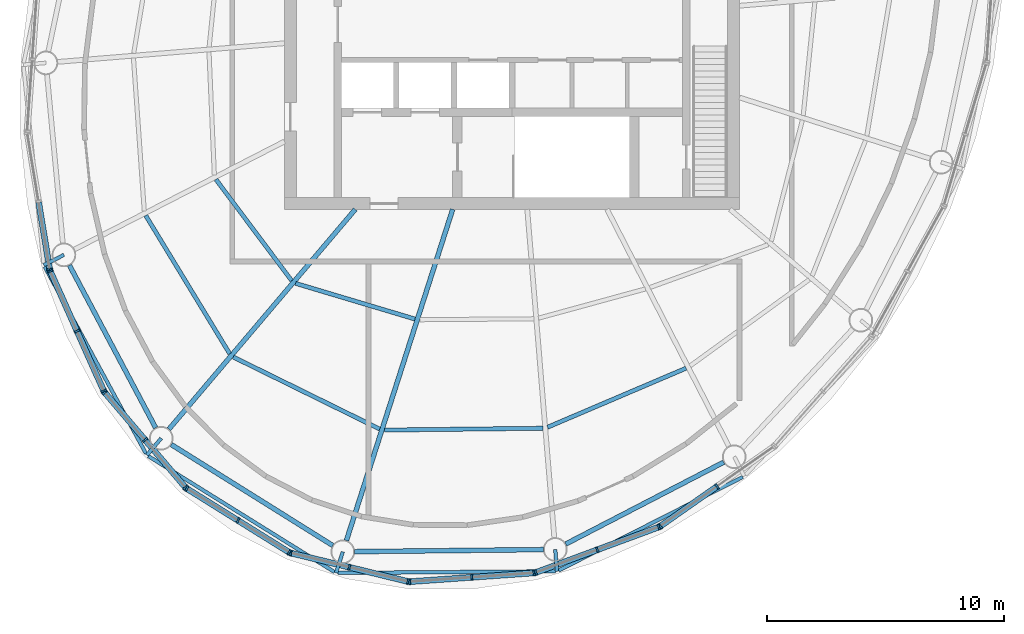
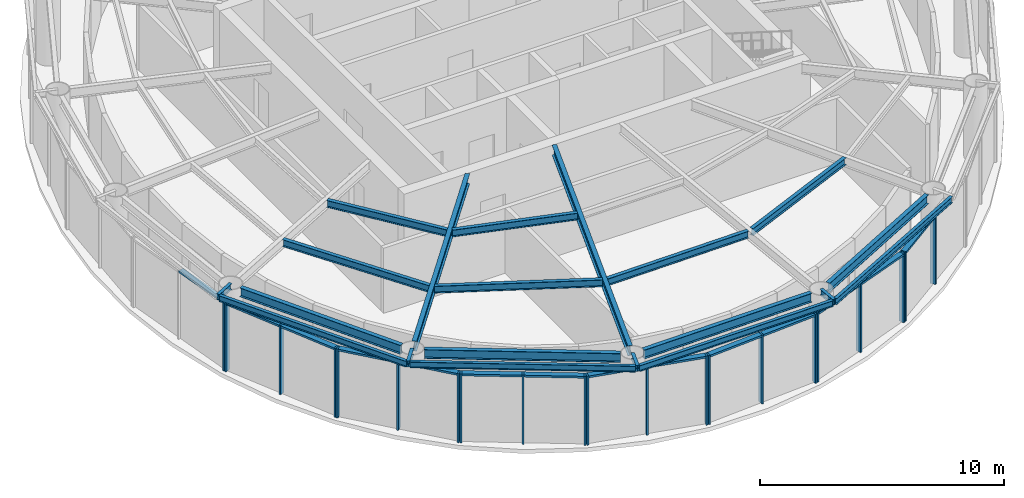
# One storey, part 2 of 11: 35 members, 20 beams, 8 elements without a shape of their own.
"""IFC4 building model written with IfcOpenShell, lengths in metres."""

from ifc_helpers import new_model, si_unit, direction, frame, origin, origin_2d, place, context, subcontext, project, spatial, rectangle, i_section, extrude, material, material_profile, profile_set, type_object, element, aggregate, save


model = new_model("IFC4")

# Units and contexts
model_context = context("Model", 3, precision=1e-05, world=origin(), true_north=direction((0.0, 1.0)))
body_context = subcontext(model_context, "Body", "Model", "MODEL_VIEW")
ifc_project = project(units=[si_unit("LENGTHUNIT", "METRE"), si_unit("AREAUNIT", "SQUARE_METRE"), si_unit("VOLUMEUNIT", "CUBIC_METRE"), si_unit("PLANEANGLEUNIT", "RADIAN"), si_unit("MASSUNIT", "GRAM", prefix="KILO")], contexts=[model_context])

# Site, building, storey
site_placement = place(None, origin())
site = spatial("IfcSite", under=ifc_project, at=site_placement, CompositionType="ELEMENT")
building_placement = place(site_placement, origin())
building = spatial("IfcBuilding", under=site, at=building_placement, Name="Vermilion Reach Broadcast Tower", CompositionType="ELEMENT")
storey_placement = place(building_placement, frame((0.0, 0.0, 325.5)))
storey = spatial("IfcBuildingStorey", under=building, at=storey_placement, Name="L81 CROWN", CompositionType="ELEMENT", Elevation=325.5)

# Curtain wall, member
ifc_material_1 = material(Name="Low-e laminated clear glass in aluminium frame", Category="aluminium")
curtain_wall_type = type_object("IfcCurtainWallType", Name="Crown glazing curtain wall", PredefinedType="NOTDEFINED", material=ifc_material_1)
placement = place(storey_placement, origin())
curtain_wall_1 = element("IfcCurtainWall", 1, at=placement, inside=storey, type_object=curtain_wall_type, Name="Crown glazing L81 CROWN 09", PredefinedType="NOTDEFINED")
ifc_material_2 = material(Name="Anodised aluminium", Category="aluminium")
ifc_material_profile_1 = material_profile(ifc_material_2, rectangle(XDim=0.25, YDim=0.080078125, at=origin_2d()), Name="Crown glazing mullion 80 x 250")
ifc_profile_set_1 = profile_set([ifc_material_profile_1], Name="Anodised aluminium")
member_type_1 = type_object("IfcMemberType", Name="Crown glazing mullion 80 x 250", PredefinedType="MULLION", material=ifc_profile_set_1)
member_1_placement = place(storey_placement, frame((-25.5029296875, -10.3359375, 0.0), z_axis=(0.0, 0.0, 1.0), x_axis=(0.986689101121, 0.162618011697, 0.0)))
member_1 = element("IfcMember", 2, at=member_1_placement, type_object=member_type_1, Name="Crown glazing mullion L81 CROWN 09.3", PredefinedType="MULLION", context=body_context, shape_type="SweptSolid", body=[
    extrude(rectangle(XDim=0.25, YDim=0.080078125, at=origin_2d()), origin(), (0.0, 0.0, 1.0), 3.449951171875),
])

# Curtain wall, members
curtain_wall_2 = element("IfcCurtainWall", 3, at=placement, inside=storey, type_object=curtain_wall_type, Name="Crown glazing L81 CROWN 10", PredefinedType="NOTDEFINED")
member_2_placement = place(storey_placement, frame((-25.480224609375, -10.411865234375, 0.0), z_axis=(0.0, 0.0, 1.0), x_axis=(0.912988806241, 0.407984607158, 0.0)))
member_2 = element("IfcMember", 4, at=member_2_placement, type_object=member_type_1, Name="Crown glazing mullion L81 CROWN 10.1", PredefinedType="MULLION", context=body_context, shape_type="SweptSolid", body=[
    extrude(rectangle(XDim=0.25, YDim=0.080078125, at=origin_2d()), origin(), (0.0, 0.0, 1.0), 3.449951171875),
])
member_3_placement = place(storey_placement, frame((-24.35205078125, -12.9365234375, 0.0), z_axis=(0.0, 0.0, 1.0), x_axis=(0.912988806241, 0.407984607158, 0.0)))
member_3 = element("IfcMember", 5, at=member_3_placement, type_object=member_type_1, Name="Crown glazing mullion L81 CROWN 10.2", PredefinedType="MULLION", context=body_context, shape_type="SweptSolid", body=[
    extrude(rectangle(XDim=0.25, YDim=0.080078125, at=origin_2d()), origin(), (0.0, 0.0, 1.0), 3.449951171875),
])
member_4_placement = place(storey_placement, frame((-23.2236328125, -15.46142578125, 0.0), z_axis=(0.0, 0.0, 1.0), x_axis=(0.912988806241, 0.407984607158, 0.0)))
member_4 = element("IfcMember", 6, at=member_4_placement, type_object=member_type_1, Name="Crown glazing mullion L81 CROWN 10.3", PredefinedType="MULLION", context=body_context, shape_type="SweptSolid", body=[
    extrude(rectangle(XDim=0.25, YDim=0.080078125, at=origin_2d()), origin(), (0.0, 0.0, 1.0), 3.449951171875),
])

curtain_wall_3 = element("IfcCurtainWall", 7, at=placement, inside=storey, type_object=curtain_wall_type, Name="Crown glazing L81 CROWN 11", PredefinedType="NOTDEFINED")
member_5_placement = place(storey_placement, frame((-23.181396484375, -15.5283203125, 0.0), z_axis=(0.0, 0.0, 1.0), x_axis=(0.761749854468, 0.647871252038, 0.0)))
member_5 = element("IfcMember", 8, at=member_5_placement, type_object=member_type_1, Name="Crown glazing mullion L81 CROWN 11.1", PredefinedType="MULLION", context=body_context, shape_type="SweptSolid", body=[
    extrude(rectangle(XDim=0.25, YDim=0.080078125, at=origin_2d()), origin(), (0.0, 0.0, 1.0), 3.449951171875),
])
member_6_placement = place(storey_placement, frame((-21.480224609375, -17.52880859375, 0.0), z_axis=(0.0, 0.0, 1.0), x_axis=(0.761749854468, 0.647871252038, 0.0)))
member_6 = element("IfcMember", 9, at=member_6_placement, type_object=member_type_1, Name="Crown glazing mullion L81 CROWN 11.2", PredefinedType="MULLION", context=body_context, shape_type="SweptSolid", body=[
    extrude(rectangle(XDim=0.25, YDim=0.080078125, at=origin_2d()), origin(), (0.0, 0.0, 1.0), 3.449951171875),
])
member_7_placement = place(storey_placement, frame((-19.77880859375, -19.529052734375, 0.0), z_axis=(0.0, 0.0, 1.0), x_axis=(0.761749854468, 0.647871252038, 0.0)))
member_7 = element("IfcMember", 10, at=member_7_placement, type_object=member_type_1, Name="Crown glazing mullion L81 CROWN 11.3", PredefinedType="MULLION", context=body_context, shape_type="SweptSolid", body=[
    extrude(rectangle(XDim=0.25, YDim=0.080078125, at=origin_2d()), origin(), (0.0, 0.0, 1.0), 3.449951171875),
])

curtain_wall_4 = element("IfcCurtainWall", 11, at=placement, inside=storey, type_object=curtain_wall_type, Name="Crown glazing L81 CROWN 12", PredefinedType="NOTDEFINED")
member_8_placement = place(storey_placement, frame((-19.718994140625, -19.580810546875, 0.0), z_axis=(0.0, 0.0, 1.0), x_axis=(0.52886102859, 0.848708437827, 0.0)))
member_8 = element("IfcMember", 12, at=member_8_placement, type_object=member_type_1, Name="Crown glazing mullion L81 CROWN 12.1", PredefinedType="MULLION", context=body_context, shape_type="SweptSolid", body=[
    extrude(rectangle(XDim=0.25, YDim=0.080078125, at=origin_2d()), origin(), (0.0, 0.0, 1.0), 3.449951171875),
])
member_9_placement = place(storey_placement, frame((-17.5615234375, -20.925048828125, 0.0), z_axis=(0.0, 0.0, 1.0), x_axis=(0.52886102859, 0.848708437827, 0.0)))
member_9 = element("IfcMember", 13, at=member_9_placement, type_object=member_type_1, Name="Crown glazing mullion L81 CROWN 12.2", PredefinedType="MULLION", context=body_context, shape_type="SweptSolid", body=[
    extrude(rectangle(XDim=0.25, YDim=0.080078125, at=origin_2d()), origin(), (0.0, 0.0, 1.0), 3.449951171875),
])
member_10_placement = place(storey_placement, frame((-15.404052734375, -22.26953125, 0.0), z_axis=(0.0, 0.0, 1.0), x_axis=(0.52886102859, 0.848708437827, 0.0)))
member_10 = element("IfcMember", 14, at=member_10_placement, type_object=member_type_1, Name="Crown glazing mullion L81 CROWN 12.3", PredefinedType="MULLION", context=body_context, shape_type="SweptSolid", body=[
    extrude(rectangle(XDim=0.25, YDim=0.080078125, at=origin_2d()), origin(), (0.0, 0.0, 1.0), 3.449951171875),
])

curtain_wall_5 = element("IfcCurtainWall", 15, at=placement, inside=storey, type_object=curtain_wall_type, Name="Crown glazing L81 CROWN 13", PredefinedType="NOTDEFINED")
member_11_placement = place(storey_placement, frame((-15.331298828125, -22.300048828125, 0.0), z_axis=(0.0, 0.0, 1.0), x_axis=(0.236354420386, 0.971666912045, 0.0)))
member_11 = element("IfcMember", 16, at=member_11_placement, type_object=member_type_1, Name="Crown glazing mullion L81 CROWN 13.1", PredefinedType="MULLION", context=body_context, shape_type="SweptSolid", body=[
    extrude(rectangle(XDim=0.25, YDim=0.080078125, at=origin_2d()), origin(), (0.0, 0.0, 1.0), 3.449951171875),
])
member_12_placement = place(storey_placement, frame((-12.861328125, -22.90087890625, 0.0), z_axis=(0.0, 0.0, 1.0), x_axis=(0.236354420386, 0.971666912045, 0.0)))
member_12 = element("IfcMember", 17, at=member_12_placement, type_object=member_type_1, Name="Crown glazing mullion L81 CROWN 13.2", PredefinedType="MULLION", context=body_context, shape_type="SweptSolid", body=[
    extrude(rectangle(XDim=0.25, YDim=0.080078125, at=origin_2d()), origin(), (0.0, 0.0, 1.0), 3.449951171875),
])
member_13_placement = place(storey_placement, frame((-10.39111328125, -23.501708984375, 0.0), z_axis=(0.0, 0.0, 1.0), x_axis=(0.236354420386, 0.971666912045, 0.0)))
member_13 = element("IfcMember", 18, at=member_13_placement, type_object=member_type_1, Name="Crown glazing mullion L81 CROWN 13.3", PredefinedType="MULLION", context=body_context, shape_type="SweptSolid", body=[
    extrude(rectangle(XDim=0.25, YDim=0.080078125, at=origin_2d()), origin(), (0.0, 0.0, 1.0), 3.449951171875),
])

curtain_wall_6 = element("IfcCurtainWall", 19, at=placement, inside=storey, type_object=curtain_wall_type, Name="Crown glazing L81 CROWN 14", PredefinedType="NOTDEFINED")
member_14_placement = place(storey_placement, frame((-10.3125, -23.50830078125, 0.0), z_axis=(0.0, 0.0, 1.0), x_axis=(-0.070082236977, 0.997541217224, 0.0)))
member_14 = element("IfcMember", 20, at=member_14_placement, type_object=member_type_1, Name="Crown glazing mullion L81 CROWN 14.1", PredefinedType="MULLION", context=body_context, shape_type="SweptSolid", body=[
    extrude(rectangle(XDim=0.25, YDim=0.080078125, at=origin_2d()), origin(), (0.0, 0.0, 1.0), 3.449951171875),
])
member_15_placement = place(storey_placement, frame((-7.69287109375, -23.324462890625, 0.0), z_axis=(0.0, 0.0, 1.0), x_axis=(-0.070082236977, 0.997541217224, 0.0)))
member_15 = element("IfcMember", 21, at=member_15_placement, type_object=member_type_1, Name="Crown glazing mullion L81 CROWN 14.2", PredefinedType="MULLION", context=body_context, shape_type="SweptSolid", body=[
    extrude(rectangle(XDim=0.25, YDim=0.080078125, at=origin_2d()), origin(), (0.0, 0.0, 1.0), 3.449951171875),
])
member_16_placement = place(storey_placement, frame((-5.0732421875, -23.140380859375, 0.0), z_axis=(0.0, 0.0, 1.0), x_axis=(-0.070082236977, 0.997541217224, 0.0)))
member_16 = element("IfcMember", 22, at=member_16_placement, type_object=member_type_1, Name="Crown glazing mullion L81 CROWN 14.3", PredefinedType="MULLION", context=body_context, shape_type="SweptSolid", body=[
    extrude(rectangle(XDim=0.25, YDim=0.080078125, at=origin_2d()), origin(), (0.0, 0.0, 1.0), 3.449951171875),
])

curtain_wall_7 = element("IfcCurtainWall", 23, at=placement, inside=storey, type_object=curtain_wall_type, Name="Crown glazing L81 CROWN 15", PredefinedType="NOTDEFINED")
member_17_placement = place(storey_placement, frame((-4.995849609375, -23.12353515625, 0.0), z_axis=(0.0, 0.0, 1.0), x_axis=(-0.347291008771, 0.93775740745, 0.0)))
member_17 = element("IfcMember", 24, at=member_17_placement, type_object=member_type_1, Name="Crown glazing mullion L81 CROWN 15.1", PredefinedType="MULLION", context=body_context, shape_type="SweptSolid", body=[
    extrude(rectangle(XDim=0.25, YDim=0.080078125, at=origin_2d()), origin(), (0.0, 0.0, 1.0), 3.449951171875),
])
member_18_placement = place(storey_placement, frame((-2.402587890625, -22.163330078125, 0.0), z_axis=(0.0, 0.0, 1.0), x_axis=(-0.347291008771, 0.93775740745, 0.0)))
member_18 = element("IfcMember", 25, at=member_18_placement, type_object=member_type_1, Name="Crown glazing mullion L81 CROWN 15.2", PredefinedType="MULLION", context=body_context, shape_type="SweptSolid", body=[
    extrude(rectangle(XDim=0.25, YDim=0.080078125, at=origin_2d()), origin(), (0.0, 0.0, 1.0), 3.449951171875),
])
member_19_placement = place(storey_placement, frame((0.190673828125, -21.202880859375, 0.0), z_axis=(0.0, 0.0, 1.0), x_axis=(-0.347291008771, 0.93775740745, 0.0)))
member_19 = element("IfcMember", 26, at=member_19_placement, type_object=member_type_1, Name="Crown glazing mullion L81 CROWN 15.3", PredefinedType="MULLION", context=body_context, shape_type="SweptSolid", body=[
    extrude(rectangle(XDim=0.25, YDim=0.080078125, at=origin_2d()), origin(), (0.0, 0.0, 1.0), 3.449951171875),
])

curtain_wall_8 = element("IfcCurtainWall", 27, at=placement, inside=storey, type_object=curtain_wall_type, Name="Crown glazing L81 CROWN 16", PredefinedType="NOTDEFINED")
member_20_placement = place(storey_placement, frame((0.2607421875, -21.166015625, 0.0), z_axis=(0.0, 0.0, 1.0), x_axis=(-0.574163969023, 0.818740335317, 0.0)))
member_20 = element("IfcMember", 28, at=member_20_placement, type_object=member_type_1, Name="Crown glazing mullion L81 CROWN 16.1", PredefinedType="MULLION", context=body_context, shape_type="SweptSolid", body=[
    extrude(rectangle(XDim=0.25, YDim=0.080078125, at=origin_2d()), origin(), (0.0, 0.0, 1.0), 3.449951171875),
])
member_21_placement = place(storey_placement, frame((2.64990234375, -19.49072265625, 0.0), z_axis=(0.0, 0.0, 1.0), x_axis=(-0.574163969023, 0.818740335317, 0.0)))
member_21 = element("IfcMember", 29, at=member_21_placement, type_object=member_type_1, Name="Crown glazing mullion L81 CROWN 16.2", PredefinedType="MULLION", context=body_context, shape_type="SweptSolid", body=[
    extrude(rectangle(XDim=0.25, YDim=0.080078125, at=origin_2d()), origin(), (0.0, 0.0, 1.0), 3.449951171875),
])

# Member
ifc_material_3 = material(Name="Anodised aluminium", Category="aluminium")
ifc_material_profile_2 = material_profile(ifc_material_3, rectangle(XDim=0.25, YDim=0.10009765625, at=origin_2d()), Name="Crown glazing transom 250 x 100")
ifc_profile_set_2 = profile_set([ifc_material_profile_2], Name="Anodised aluminium")
member_type_2 = type_object("IfcMemberType", Name="Crown glazing transom 250 x 100", PredefinedType="USERDEFINED", material=ifc_profile_set_2)
member_22_placement = place(storey_placement, frame((-25.970947265625, -7.496337890625, 3.39990234375), z_axis=(0.162599033258, -0.986692228805, 0.0), x_axis=(0.986692228805, 0.162599033258, 0.0)))
member_22 = element("IfcMember", 30, at=member_22_placement, type_object=member_type_2, Name="Crown glazing transom L81 CROWN 09.2.2", ObjectType="TRANSOM", PredefinedType="USERDEFINED", context=body_context, shape_type="SweptSolid", body=[
    extrude(rectangle(XDim=0.25, YDim=0.10009765625, at=origin_2d()), origin(), (0.0, 0.0, 1.0), 2.837890625),
])

aggregate(curtain_wall_1, [member_1, member_22])

member_23_placement = place(storey_placement, frame((-25.4638671875, -10.4482421875, 3.39990234375), z_axis=(0.407993268167, -0.912984935873, 0.0), x_axis=(0.912984935873, 0.407993268167, 0.0)))
member_23 = element("IfcMember", 31, at=member_23_placement, type_object=member_type_2, Name="Crown glazing transom L81 CROWN 10.1.2", ObjectType="TRANSOM", PredefinedType="USERDEFINED", context=body_context, shape_type="SweptSolid", body=[
    extrude(rectangle(XDim=0.25, YDim=0.10009765625, at=origin_2d()), origin(), (0.0, 0.0, 1.0), 2.685546875),
])

member_24_placement = place(storey_placement, frame((-24.335693359375, -12.97314453125, 3.39990234375), z_axis=(0.40802713302, -0.912969801647, 0.0), x_axis=(0.912969801647, 0.40802713302, 0.0)))
member_24 = element("IfcMember", 32, at=member_24_placement, type_object=member_type_2, Name="Crown glazing transom L81 CROWN 10.2.2", ObjectType="TRANSOM", PredefinedType="USERDEFINED", context=body_context, shape_type="SweptSolid", body=[
    extrude(rectangle(XDim=0.25, YDim=0.10009765625, at=origin_2d()), origin(), (0.0, 0.0, 1.0), 2.685302734375),
])

aggregate(curtain_wall_2, [member_2, member_3, member_4, member_23, member_24])

member_25_placement = place(storey_placement, frame((-23.155517578125, -15.558837890625, 3.39990234375), z_axis=(0.647848811341, -0.7617689398, 0.0), x_axis=(0.7617689398, 0.647848811341, 0.0)))
member_25 = element("IfcMember", 33, at=member_25_placement, type_object=member_type_2, Name="Crown glazing transom L81 CROWN 11.1.2", ObjectType="TRANSOM", PredefinedType="USERDEFINED", context=body_context, shape_type="SweptSolid", body=[
    extrude(rectangle(XDim=0.25, YDim=0.10009765625, at=origin_2d()), origin(), (0.0, 0.0, 1.0), 2.5458984375),
])

member_26_placement = place(storey_placement, frame((-21.454345703125, -17.55908203125, 3.39990234375), z_axis=(0.647904451719, -0.761721616762, 0.0), x_axis=(0.761721616762, 0.647904451719, 0.0)))
member_26 = element("IfcMember", 34, at=member_26_placement, type_object=member_type_2, Name="Crown glazing transom L81 CROWN 11.2.2", ObjectType="TRANSOM", PredefinedType="USERDEFINED", context=body_context, shape_type="SweptSolid", body=[
    extrude(rectangle(XDim=0.25, YDim=0.10009765625, at=origin_2d()), origin(), (0.0, 0.0, 1.0), 2.546142578125),
])

aggregate(curtain_wall_3, [member_5, member_6, member_7, member_25, member_26])

member_27_placement = place(storey_placement, frame((-19.68505859375, -19.601806640625, 3.39990234375), z_axis=(0.848682779768, -0.528902202043, 0.0), x_axis=(0.528902202043, 0.848682779768, 0.0)))
member_27 = element("IfcMember", 35, at=member_27_placement, type_object=member_type_2, Name="Crown glazing transom L81 CROWN 12.1.2", ObjectType="TRANSOM", PredefinedType="USERDEFINED", context=body_context, shape_type="SweptSolid", body=[
    extrude(rectangle(XDim=0.25, YDim=0.10009765625, at=origin_2d()), origin(), (0.0, 0.0, 1.0), 2.462158203125),
])

member_28_placement = place(storey_placement, frame((-17.527587890625, -20.9462890625, 3.39990234375), z_axis=(0.848727287614, -0.528830777526, 0.0), x_axis=(0.528830777526, 0.848727287614, 0.0)))
member_28 = element("IfcMember", 36, at=member_28_placement, type_object=member_type_2, Name="Crown glazing transom L81 CROWN 12.2.2", ObjectType="TRANSOM", PredefinedType="USERDEFINED", context=body_context, shape_type="SweptSolid", body=[
    extrude(rectangle(XDim=0.25, YDim=0.10009765625, at=origin_2d()), origin(), (0.0, 0.0, 1.0), 2.462158203125),
])

aggregate(curtain_wall_4, [member_8, member_9, member_10, member_27, member_28])

member_29_placement = place(storey_placement, frame((-15.29248046875, -22.3095703125, 3.39990234375), z_axis=(0.971679911502, -0.236300972457, 0.0), x_axis=(0.236300972457, 0.971679911502, 0.0)))
member_29 = element("IfcMember", 37, at=member_29_placement, type_object=member_type_2, Name="Crown glazing transom L81 CROWN 13.1.2", ObjectType="TRANSOM", PredefinedType="USERDEFINED", context=body_context, shape_type="SweptSolid", body=[
    extrude(rectangle(XDim=0.25, YDim=0.10009765625, at=origin_2d()), origin(), (0.0, 0.0, 1.0), 2.462158203125),
])

member_30_placement = place(storey_placement, frame((-12.822265625, -22.910400390625, 3.39990234375), z_axis=(0.971674373727, -0.236323742865, 0.0), x_axis=(0.236323742865, 0.971674373727, 0.0)))
member_30 = element("IfcMember", 38, at=member_30_placement, type_object=member_type_2, Name="Crown glazing transom L81 CROWN 13.2.2", ObjectType="TRANSOM", PredefinedType="USERDEFINED", context=body_context, shape_type="SweptSolid", body=[
    extrude(rectangle(XDim=0.25, YDim=0.10009765625, at=origin_2d()), origin(), (0.0, 0.0, 1.0), 2.4619140625),
])

aggregate(curtain_wall_5, [member_11, member_12, member_13, member_29, member_30])

member_31_placement = place(storey_placement, frame((-10.2724609375, -23.505615234375, 3.39990234375), z_axis=(0.997539824471, 0.07010205842, 0.0), x_axis=(-0.07010205842, 0.997539824471, 0.0)))
member_31 = element("IfcMember", 39, at=member_31_placement, type_object=member_type_2, Name="Crown glazing transom L81 CROWN 14.1.2", ObjectType="TRANSOM", PredefinedType="USERDEFINED", context=body_context, shape_type="SweptSolid", body=[
    extrude(rectangle(XDim=0.25, YDim=0.10009765625, at=origin_2d()), origin(), (0.0, 0.0, 1.0), 2.5458984375),
])

member_32_placement = place(storey_placement, frame((-7.653076171875, -23.321533203125, 3.39990234375), z_axis=(0.997540295679, 0.070095352893, 0.0), x_axis=(-0.070095352893, 0.997540295679, 0.0)))
member_32 = element("IfcMember", 40, at=member_32_placement, type_object=member_type_2, Name="Crown glazing transom L81 CROWN 14.2.2", ObjectType="TRANSOM", PredefinedType="USERDEFINED", context=body_context, shape_type="SweptSolid", body=[
    extrude(rectangle(XDim=0.25, YDim=0.10009765625, at=origin_2d()), origin(), (0.0, 0.0, 1.0), 2.546142578125),
])

aggregate(curtain_wall_6, [member_14, member_15, member_16, member_31, member_32])

member_33_placement = place(storey_placement, frame((-4.95849609375, -23.109619140625, 3.39990234375), z_axis=(0.937789331633, 0.347204794717, 0.0), x_axis=(-0.347204794717, 0.937789331633, 0.0)))
member_33 = element("IfcMember", 41, at=member_33_placement, type_object=member_type_2, Name="Crown glazing transom L81 CROWN 15.1.2", ObjectType="TRANSOM", PredefinedType="USERDEFINED", context=body_context, shape_type="SweptSolid", body=[
    extrude(rectangle(XDim=0.25, YDim=0.10009765625, at=origin_2d()), origin(), (0.0, 0.0, 1.0), 2.685302734375),
])

member_34_placement = place(storey_placement, frame((-2.365234375, -22.1494140625, 3.39990234375), z_axis=(0.93775972675, 0.347284746116, 0.0), x_axis=(-0.347284746116, 0.93775972675, 0.0)))
member_34 = element("IfcMember", 42, at=member_34_placement, type_object=member_type_2, Name="Crown glazing transom L81 CROWN 15.2.2", ObjectType="TRANSOM", PredefinedType="USERDEFINED", context=body_context, shape_type="SweptSolid", body=[
    extrude(rectangle(XDim=0.25, YDim=0.10009765625, at=origin_2d()), origin(), (0.0, 0.0, 1.0), 2.685546875),
])

aggregate(curtain_wall_7, [member_17, member_18, member_19, member_33, member_34])

member_35_placement = place(storey_placement, frame((0.293701171875, -21.14306640625, 3.39990234375), z_axis=(0.818742582552, 0.574160764522, 0.0), x_axis=(-0.574160764522, 0.818742582552, 0.0)))
member_35 = element("IfcMember", 43, at=member_35_placement, type_object=member_type_2, Name="Crown glazing transom L81 CROWN 16.1.2", ObjectType="TRANSOM", PredefinedType="USERDEFINED", context=body_context, shape_type="SweptSolid", body=[
    extrude(rectangle(XDim=0.25, YDim=0.10009765625, at=origin_2d()), origin(), (0.0, 0.0, 1.0), 2.837890625),
])

aggregate(curtain_wall_8, [member_20, member_21, member_35])

# Beams
ifc_material_4 = material(Name="Steel S355J2", Category="steel")
ifc_material_profile_3 = material_profile(ifc_material_4, i_section(OverallWidth=0.14990234375, OverallDepth=0.300048828125, WebThickness=0.006591796875, FlangeThickness=0.009033203125, at=origin_2d()), Name="S355J2 HN 300x150x6.5x9")
ifc_profile_set_3 = profile_set([ifc_material_profile_3], Name="Steel S355J2")
beam_type_1 = type_object("IfcBeamType", Name="EB5 HN 300x150x6.5x9", PredefinedType="BEAM", material=ifc_profile_set_3)
beam_1_placement = place(storey_placement, frame((-25.7158203125, -10.22119140625, 3.60009765625), z_axis=(0.476526173128, -0.879160284774, 0.0), x_axis=(0.879160284774, 0.476526173128, 0.0)))
element("IfcBeam", 44, at=beam_1_placement, inside=storey, type_object=beam_type_1, Name="Edge beam EB5-07", PredefinedType="BEAM", context=body_context, shape_type="SweptSolid", body=[
    extrude(i_section(OverallWidth=0.14990234375, OverallDepth=0.300048828125, WebThickness=0.006591796875, FlangeThickness=0.009033203125, at=origin_2d()), origin(), (0.0, 0.0, 1.0), 8.9638671875),
])
beam_2_placement = place(storey_placement, frame((-21.341552734375, -18.212646484375, 3.60009765625), z_axis=(0.848928421209, -0.528507838791, 0.0), x_axis=(0.528507838791, 0.848928421209, 0.0)))
element("IfcBeam", 45, at=beam_2_placement, inside=storey, type_object=beam_type_1, Name="Edge beam EB5-08", PredefinedType="BEAM", context=body_context, shape_type="SweptSolid", body=[
    extrude(i_section(OverallWidth=0.14990234375, OverallDepth=0.300048828125, WebThickness=0.006591796875, FlangeThickness=0.009033203125, at=origin_2d()), origin(), (0.0, 0.0, 1.0), 9.24755859375),
])
beam_3_placement = place(storey_placement, frame((-13.346435546875, -23.140380859375, 3.60009765625), z_axis=(0.999971629622, 0.007532592595, 0.0), x_axis=(-0.007532592595, 0.999971629622, 0.0)))
element("IfcBeam", 46, at=beam_3_placement, inside=storey, type_object=beam_type_1, Name="Edge beam EB5-09", PredefinedType="BEAM", context=body_context, shape_type="SweptSolid", body=[
    extrude(i_section(OverallWidth=0.14990234375, OverallDepth=0.300048828125, WebThickness=0.006591796875, FlangeThickness=0.009033203125, at=origin_2d()), origin(), (0.0, 0.0, 1.0), 9.17236328125),
])
beam_4_placement = place(storey_placement, frame((-4.02685546875, -23.033935546875, 3.60009765625), z_axis=(0.891604217889, 0.452815545936, 0.0), x_axis=(-0.452815545936, 0.891604217889, 0.0)))
element("IfcBeam", 47, at=beam_4_placement, inside=storey, type_object=beam_type_1, Name="Edge beam EB5-10", PredefinedType="BEAM", context=body_context, shape_type="SweptSolid", body=[
    extrude(i_section(OverallWidth=0.14990234375, OverallDepth=0.300048828125, WebThickness=0.006591796875, FlangeThickness=0.009033203125, at=origin_2d()), origin(), (0.0, 0.0, 1.0), 8.70263671875),
])
ifc_material_5 = material(Name="Steel S355J2", Category="steel")
ifc_material_profile_4 = material_profile(ifc_material_5, i_section(OverallWidth=0.199951171875, OverallDepth=0.5, WebThickness=0.010009765625, FlangeThickness=0.01611328125, at=origin_2d()), Name="S355J2 HN 500x200x10x16")
ifc_profile_set_4 = profile_set([ifc_material_profile_4], Name="Steel S355J2")
beam_type_2 = type_object("IfcBeamType", Name="G5 HN 500x200x10x16", PredefinedType="BEAM", material=ifc_profile_set_4)
beam_5_placement = place(storey_placement, frame((-12.612548828125, -7.800048828125, 3.5), z_axis=(-0.646658335602, -0.762779782766, 0.0), x_axis=(0.762779782766, -0.646658335602, 0.0)))
element("IfcBeam", 48, at=beam_5_placement, inside=storey, type_object=beam_type_2, Name="Girder G5-08", PredefinedType="BEAM", context=body_context, shape_type="SweptSolid", body=[
    extrude(i_section(OverallWidth=0.199951171875, OverallDepth=0.5, WebThickness=0.010009765625, FlangeThickness=0.01611328125, at=origin_2d()), origin(), (0.0, 0.0, 1.0), 12.16064453125),
])
beam_6_placement = place(storey_placement, frame((-8.502685546875, -7.800048828125, 3.5), z_axis=(-0.305545401295, -0.952177508528, 0.0), x_axis=(0.952177508528, -0.305545401295, 0.0)))
element("IfcBeam", 49, at=beam_6_placement, inside=storey, type_object=beam_type_2, Name="Girder G5-09", PredefinedType="BEAM", context=body_context, shape_type="SweptSolid", body=[
    extrude(i_section(OverallWidth=0.199951171875, OverallDepth=0.5, WebThickness=0.010009765625, FlangeThickness=0.01611328125, at=origin_2d()), origin(), (0.0, 0.0, 1.0), 14.672607421875),
])
ifc_material_6 = material(Name="Steel S355J2", Category="steel")
ifc_material_profile_5 = material_profile(ifc_material_6, i_section(OverallWidth=0.14990234375, OverallDepth=0.300048828125, WebThickness=0.006591796875, FlangeThickness=0.009033203125, at=origin_2d()), Name="S355J2 HN 300x150x6.5x9")
ifc_profile_set_5 = profile_set([ifc_material_profile_5], Name="Steel S355J2")
beam_type_3 = type_object("IfcBeamType", Name="GS5 HN 300x150x6.5x9", PredefinedType="BEAM", material=ifc_profile_set_5)
beam_7_placement = place(storey_placement, frame((-24.905517578125, -9.72021484375, 3.60009765625), z_axis=(-0.88934146644, -0.457243650662, 0.0), x_axis=(0.457243650662, -0.88934146644, 0.0)))
element("IfcBeam", 50, at=beam_7_placement, inside=storey, type_object=beam_type_3, Name="Cantilever stub GS5-07", PredefinedType="BEAM", context=body_context, shape_type="SweptSolid", body=[
    extrude(i_section(OverallWidth=0.14990234375, OverallDepth=0.300048828125, WebThickness=0.006591796875, FlangeThickness=0.009033203125, at=origin_2d()), origin(), (0.0, 0.0, 1.0), 0.951416015625),
])
beam_8_placement = place(storey_placement, frame((-20.799560546875, -17.457275390625, 3.60009765625), z_axis=(-0.646665495652, -0.762773712665, 0.0), x_axis=(0.762773712665, -0.646665495652, 0.0)))
element("IfcBeam", 51, at=beam_8_placement, inside=storey, type_object=beam_type_3, Name="Cantilever stub GS5-08", PredefinedType="BEAM", context=body_context, shape_type="SweptSolid", body=[
    extrude(i_section(OverallWidth=0.14990234375, OverallDepth=0.300048828125, WebThickness=0.006591796875, FlangeThickness=0.009033203125, at=origin_2d()), origin(), (0.0, 0.0, 1.0), 0.937744140625),
])
beam_9_placement = place(storey_placement, frame((-13.138427734375, -22.2470703125, 3.60009765625), z_axis=(-0.305596628184, -0.95216106875, 0.0), x_axis=(0.95216106875, -0.305596628184, 0.0)))
element("IfcBeam", 52, at=beam_9_placement, inside=storey, type_object=beam_type_3, Name="Cantilever stub GS5-09", PredefinedType="BEAM", context=body_context, shape_type="SweptSolid", body=[
    extrude(i_section(OverallWidth=0.14990234375, OverallDepth=0.300048828125, WebThickness=0.006591796875, FlangeThickness=0.009033203125, at=origin_2d()), origin(), (0.0, 0.0, 1.0), 0.938720703125),
])
beam_10_placement = place(storey_placement, frame((-4.175048828125, -22.1494140625, 3.60009765625), z_axis=(0.082149174093, -0.996620044548, 0.0), x_axis=(0.996620044548, 0.082149174093, 0.0)))
element("IfcBeam", 53, at=beam_10_placement, inside=storey, type_object=beam_type_3, Name="Cantilever stub GS5-10", PredefinedType="BEAM", context=body_context, shape_type="SweptSolid", body=[
    extrude(i_section(OverallWidth=0.14990234375, OverallDepth=0.300048828125, WebThickness=0.006591796875, FlangeThickness=0.009033203125, at=origin_2d()), origin(), (0.0, 0.0, 1.0), 0.92431640625),
])
ifc_material_7 = material(Name="Steel S355J2", Category="steel")
ifc_material_profile_6 = material_profile(ifc_material_7, i_section(OverallWidth=0.199951171875, OverallDepth=0.449951171875, WebThickness=0.009033203125, FlangeThickness=0.013916015625, at=origin_2d()), Name="S355J2 HN 450x200x9x14")
ifc_profile_set_6 = profile_set([ifc_material_profile_6], Name="Steel S355J2")
beam_type_4 = type_object("IfcBeamType", Name="RB5 HN 450x200x9x14", PredefinedType="BEAM", material=ifc_profile_set_6)
beam_11_placement = place(storey_placement, frame((-24.671142578125, -10.161865234375, 3.52490234375), z_axis=(0.468767917375, -0.883321368269, 0.0), x_axis=(0.883321368269, 0.468767917375, 0.0)))
element("IfcBeam", 54, at=beam_11_placement, inside=storey, type_object=beam_type_4, Name="Ring beam RB5-07", PredefinedType="BEAM", context=body_context, shape_type="SweptSolid", body=[
    extrude(i_section(OverallWidth=0.199951171875, OverallDepth=0.449951171875, WebThickness=0.009033203125, FlangeThickness=0.013916015625, at=origin_2d()), origin(), (0.0, 0.0, 1.0), 7.759033203125),
])
beam_12_placement = place(storey_placement, frame((-20.375732421875, -17.722412109375, 3.52490234375), z_axis=(0.847914653245, -0.530132757724, 0.0), x_axis=(0.530132757724, 0.847914653245, 0.0)))
element("IfcBeam", 55, at=beam_12_placement, inside=storey, type_object=beam_type_4, Name="Ring beam RB5-08", PredefinedType="BEAM", context=body_context, shape_type="SweptSolid", body=[
    extrude(i_section(OverallWidth=0.199951171875, OverallDepth=0.449951171875, WebThickness=0.009033203125, FlangeThickness=0.013916015625, at=origin_2d()), origin(), (0.0, 0.0, 1.0), 8.035400390625),
])
beam_13_placement = place(storey_placement, frame((-12.638427734375, -22.24169921875, 3.52490234375), z_axis=(0.999940445231, 0.010913569149, 0.0), x_axis=(-0.010913569149, 0.999940445231, 0.0)))
element("IfcBeam", 56, at=beam_13_placement, inside=storey, type_object=beam_type_4, Name="Ring beam RB5-09", PredefinedType="BEAM", context=body_context, shape_type="SweptSolid", body=[
    extrude(i_section(OverallWidth=0.199951171875, OverallDepth=0.449951171875, WebThickness=0.009033203125, FlangeThickness=0.013916015625, at=origin_2d()), origin(), (0.0, 0.0, 1.0), 7.9638671875),
])
beam_14_placement = place(storey_placement, frame((-3.731201171875, -21.91943359375, 3.52490234375), z_axis=(0.887960248279, 0.459920207729, 0.0), x_axis=(-0.459920207729, 0.887960248279, 0.0)))
element("IfcBeam", 57, at=beam_14_placement, inside=storey, type_object=beam_type_4, Name="Ring beam RB5-10", PredefinedType="BEAM", context=body_context, shape_type="SweptSolid", body=[
    extrude(i_section(OverallWidth=0.199951171875, OverallDepth=0.449951171875, WebThickness=0.009033203125, FlangeThickness=0.013916015625, at=origin_2d()), origin(), (0.0, 0.0, 1.0), 7.5048828125),
])
ifc_material_8 = material(Name="Steel S355J2", Category="steel")
ifc_material_profile_7 = material_profile(ifc_material_8, i_section(OverallWidth=0.175048828125, OverallDepth=0.35009765625, WebThickness=0.007080078125, FlangeThickness=0.010986328125, at=origin_2d()), Name="S355J2 HN 350x175x7x11")
ifc_profile_set_7 = profile_set([ifc_material_profile_7], Name="Steel S355J2")
beam_type_5 = type_object("IfcBeamType", Name="SB5 HN 350x175x7x11", PredefinedType="BEAM", material=ifc_profile_set_7)
beam_15_placement = place(storey_placement, frame((-18.492919921875, -6.53564453125, 3.574951171875), z_axis=(0.599055582645, -0.800707442767, 0.0), x_axis=(0.800707442767, 0.599055582645, 0.0)))
element("IfcBeam", 58, at=beam_15_placement, inside=storey, type_object=beam_type_5, Name="Secondary beam SB5-07-1", PredefinedType="BEAM", context=body_context, shape_type="SweptSolid", body=[
    extrude(i_section(OverallWidth=0.175048828125, OverallDepth=0.35009765625, WebThickness=0.007080078125, FlangeThickness=0.010986328125, at=origin_2d()), origin(), (0.0, 0.0, 1.0), 5.337890625),
])
beam_16_placement = place(storey_placement, frame((-21.455078125, -8.058837890625, 3.574951171875), z_axis=(0.519272962556, -0.854608442714, 0.0), x_axis=(0.854608442714, 0.519272962556, 0.0)))
element("IfcBeam", 59, at=beam_16_placement, inside=storey, type_object=beam_type_5, Name="Secondary beam SB5-07-2", PredefinedType="BEAM", context=body_context, shape_type="SweptSolid", body=[
    extrude(i_section(OverallWidth=0.175048828125, OverallDepth=0.35009765625, WebThickness=0.007080078125, FlangeThickness=0.010986328125, at=origin_2d()), origin(), (0.0, 0.0, 1.0), 6.82763671875),
])
beam_17_placement = place(storey_placement, frame((-15.129150390625, -10.92333984375, 3.574951171875), z_axis=(0.958124906971, -0.286350593925, 0.0), x_axis=(0.286350593925, 0.958124906971, 0.0)))
element("IfcBeam", 60, at=beam_17_placement, inside=storey, type_object=beam_type_5, Name="Secondary beam SB5-08-1", PredefinedType="BEAM", context=body_context, shape_type="SweptSolid", body=[
    extrude(i_section(OverallWidth=0.175048828125, OverallDepth=0.35009765625, WebThickness=0.007080078125, FlangeThickness=0.010986328125, at=origin_2d()), origin(), (0.0, 0.0, 1.0), 5.25634765625),
])
beam_18_placement = place(storey_placement, frame((-17.762451171875, -14.029541015625, 3.574951171875), z_axis=(0.897335928087, -0.441348198325, 0.0), x_axis=(0.441348198325, 0.897335928087, 0.0)))
element("IfcBeam", 61, at=beam_18_placement, inside=storey, type_object=beam_type_5, Name="Secondary beam SB5-08-2", PredefinedType="BEAM", context=body_context, shape_type="SweptSolid", body=[
    extrude(i_section(OverallWidth=0.175048828125, OverallDepth=0.35009765625, WebThickness=0.007080078125, FlangeThickness=0.010986328125, at=origin_2d()), origin(), (0.0, 0.0, 1.0), 6.887451171875),
])
beam_19_placement = place(storey_placement, frame((-11.385986328125, -17.11279296875, 3.574951171875), z_axis=(0.999932654133, 0.011605481368, 0.0), x_axis=(-0.011605481368, 0.999932654133, 0.0)))
element("IfcBeam", 62, at=beam_19_placement, inside=storey, type_object=beam_type_5, Name="Secondary beam SB5-09-2", PredefinedType="BEAM", context=body_context, shape_type="SweptSolid", body=[
    extrude(i_section(OverallWidth=0.175048828125, OverallDepth=0.35009765625, WebThickness=0.007080078125, FlangeThickness=0.010986328125, at=origin_2d()), origin(), (0.0, 0.0, 1.0), 6.689697265625),
])
beam_20_placement = place(storey_placement, frame((-4.49951171875, -16.99267578125, 3.574951171875), z_axis=(0.919880986172, 0.392197617637, 0.0), x_axis=(-0.392197617637, 0.919880986172, 0.0)))
element("IfcBeam", 63, at=beam_20_placement, inside=storey, type_object=beam_type_5, Name="Secondary beam SB5-10-2", PredefinedType="BEAM", context=body_context, shape_type="SweptSolid", body=[
    extrude(i_section(OverallWidth=0.175048828125, OverallDepth=0.35009765625, WebThickness=0.007080078125, FlangeThickness=0.010986328125, at=origin_2d()), origin(), (0.0, 0.0, 1.0), 6.351806640625),
])

save(model, "model.ifc")
